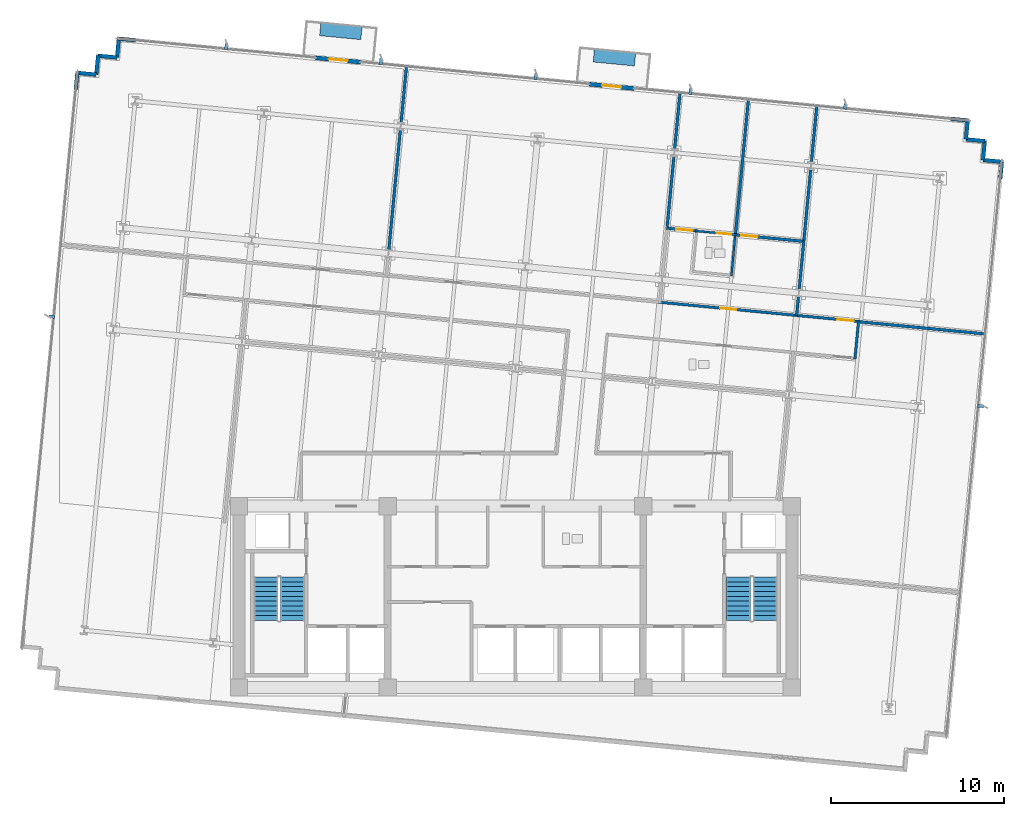
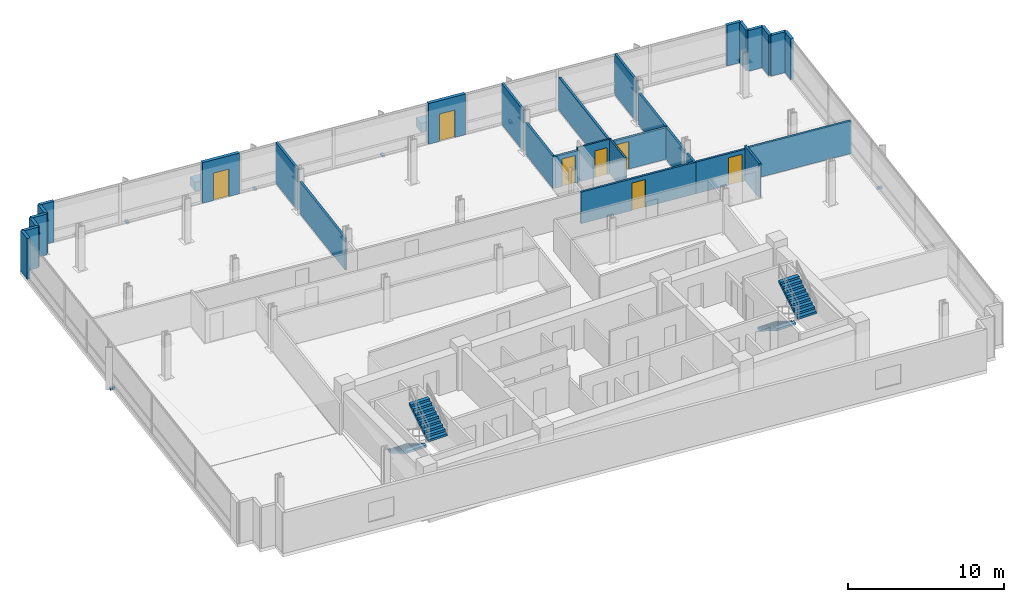
# One storey, part 12 of 16: 31 walls, 9 discrete accessories, 7 doors, 4 stair flights, 7 openings, 2 elements without a shape of their own.
"""IFC4 building model written with IfcOpenShell, lengths in metres."""

from ifc_helpers import new_model, si_unit, direction, frame, frame_2d, origin, origin_2d, place, context, subcontext, project, spatial, polyline, rectangle, outline, extrude, material, layer, layer_set, type_object, element, fill, aggregate, save


model = new_model("IFC4")

# Units and contexts
model_context = context("Model", 3, precision=1e-05, world=origin(), true_north=direction((0.0, 1.0)))
body_context = subcontext(model_context, "Body", "Model", "MODEL_VIEW")
ifc_project = project(units=[si_unit("LENGTHUNIT", "METRE"), si_unit("AREAUNIT", "SQUARE_METRE"), si_unit("VOLUMEUNIT", "CUBIC_METRE"), si_unit("PLANEANGLEUNIT", "RADIAN"), si_unit("MASSUNIT", "GRAM", prefix="KILO")], contexts=[model_context])

# Site, building, storey
site_placement = place(None, origin())
site = spatial("IfcSite", under=ifc_project, at=site_placement, CompositionType="ELEMENT")
building_placement = place(site_placement, origin())
building = spatial("IfcBuilding", under=site, at=building_placement, Name="Solmavex Isthmus Hotel", CompositionType="ELEMENT")
storey_placement = place(building_placement, frame((0.0, 0.0, 160.050048828125)))
storey = spatial("IfcBuildingStorey", under=building, at=storey_placement, Name="L43", CompositionType="ELEMENT", Elevation=160.050048828125)

# Wall, opening, door
ifc_material_1 = material(Name="Precast Concrete C40/50", Category="concrete")
ifc_layer_1 = layer(ifc_material_1, 0.25)
ifc_layer_set_1 = layer_set([ifc_layer_1], Name="Precast Concrete C40/50")
wall_type_1 = type_object("IfcWallType", Name="EW-TWR-250", PredefinedType="STANDARD", material=ifc_layer_set_1)
wall_1_placement = place(storey_placement, frame((-11.5634765625, 23.46142578125, 0.0), z_axis=(0.0, 0.0, 1.0), x_axis=(0.995402144456, -0.095783979938, 0.0)))
wall_1 = element("IfcWall", 1, at=wall_1_placement, inside=storey, type_object=wall_type_1, Name="Exterior Balcony Door Wall L43-2", PredefinedType="STANDARD", context=body_context, shape_type="SweptSolid", body=[
    extrude(rectangle(XDim=2.599853515625, YDim=0.239990234375, at=frame_2d((1.2998046875, 0.0))), origin(), (0.0, 0.0, 1.0), 3.18994140625),
])
opening_1_placement = place(wall_1_placement, frame((0.75, 0.0, 0.0)))
opening_1 = element("IfcOpeningElement", 2, at=opening_1_placement, cuts=wall_1, Name="Opening ED-02", PredefinedType="OPENING", context=body_context, shape_type="SweptSolid", body=[
    extrude(rectangle(XDim=1.10009765625, YDim=2.14990234375, at=frame_2d((0.550048828125, 1.074951171875))), frame((0.0, 0.1298828125, 0.0), z_axis=(0.0, -1.0, 0.0), x_axis=(1.0, 0.0, 0.0)), (0.0, 0.0, 1.0), 0.260009765625),
])
ifc_material_2 = material(Name="Aluminium alloy 6063-T6", Category="aluminium")
door_type_1 = type_object("IfcDoorType", Name="EDR-BALC-1100", OperationType="NOTDEFINED", PredefinedType="DOOR", material=ifc_material_2)
door_1_placement = place(opening_1_placement, origin())
door_1 = element("IfcDoor", 3, at=door_1_placement, inside=storey, type_object=door_type_1, Name="Balcony & Terrace Glazed Door L43-2", OperationType="SINGLE_SWING_RIGHT", OverallHeight=2.14990234375, OverallWidth=1.10009765625, PredefinedType="DOOR", context=body_context, shape_type="SweptSolid", body=[
    extrude(rectangle(XDim=1.10009765625, YDim=2.14990234375, at=frame_2d((0.550048828125, 1.074951171875))), frame((0.0, 0.02490234375, 0.0), z_axis=(0.0, -1.0, 0.0), x_axis=(1.0, 0.0, 0.0)), (0.0, 0.0, 1.0), 0.050048828125),
])
fill(opening_1, door_1)

wall_2_placement = place(storey_placement, frame((4.275146484375, 21.9365234375, 0.0), z_axis=(0.0, 0.0, 1.0), x_axis=(0.995394049959, -0.095868061976, 0.0)))
wall_2 = element("IfcWall", 4, at=wall_2_placement, inside=storey, type_object=wall_type_1, Name="Exterior Balcony Door Wall L43-3", PredefinedType="STANDARD", context=body_context, shape_type="SweptSolid", body=[
    extrude(rectangle(XDim=2.60009765625, YDim=0.239990234375, at=frame_2d((1.300048828125, 0.0))), origin(), (0.0, 0.0, 1.0), 3.18994140625),
])
opening_2_placement = place(wall_2_placement, frame((0.75, 0.0, 0.0)))
opening_2 = element("IfcOpeningElement", 5, at=opening_2_placement, cuts=wall_2, Name="Opening ED-02", PredefinedType="OPENING", context=body_context, shape_type="SweptSolid", body=[
    extrude(rectangle(XDim=1.10009765625, YDim=2.14990234375, at=frame_2d((0.550048828125, 1.074951171875))), frame((0.0, 0.1298828125, 0.0), z_axis=(0.0, -1.0, 0.0), x_axis=(1.0, 0.0, 0.0)), (0.0, 0.0, 1.0), 0.260009765625),
])
door_2_placement = place(opening_2_placement, origin())
door_2 = element("IfcDoor", 6, at=door_2_placement, inside=storey, type_object=door_type_1, Name="Balcony & Terrace Glazed Door L43-3", OperationType="SINGLE_SWING_LEFT", OverallHeight=2.14990234375, OverallWidth=1.10009765625, PredefinedType="DOOR", context=body_context, shape_type="SweptSolid", body=[
    extrude(rectangle(XDim=1.10009765625, YDim=2.14990234375, at=frame_2d((0.550048828125, 1.074951171875))), frame((0.0, 0.02490234375, 0.0), z_axis=(0.0, -1.0, 0.0), x_axis=(1.0, 0.0, 0.0)), (0.0, 0.0, 1.0), 0.050048828125),
])
fill(opening_2, door_2)

# Walls
wall_3_placement = place(storey_placement, frame((-25.46142578125, 21.60498046875, 0.0), z_axis=(0.0, 0.0, 1.0), x_axis=(0.095937974524, 0.995387314086, 0.0)))
element("IfcWall", 7, at=wall_3_placement, inside=storey, type_object=wall_type_1, Name="Serrated Corner Facade Panel L43-07", PredefinedType="STANDARD", context=body_context, shape_type="SweptSolid", body=[
    extrude(rectangle(XDim=0.989990234375, YDim=0.219970703125, at=frame_2d((0.4951171875, 0.0))), origin(), (0.0, 0.0, 1.0), 3.18994140625),
])
for number, where, z_axis, x_axis, name in (
    (8, (-25.366455078125, 22.59033203125, 0.0), (0.0, 0.0, 1.0), (0.995414313875, -0.095657429048, 0.0), "Serrated Corner Facade Panel L43-08"),
    (9, (-24.271484375, 22.485107421875, 0.0), (0.0, 0.0, 1.0), (0.095657429048, 0.995414313875, 0.0), "Serrated Corner Facade Panel L43-09"),
    (10, (-24.166259765625, 23.580078125, 0.0), (0.0, 0.0, 1.0), (0.995393156894, -0.095877334176, 0.0), "Serrated Corner Facade Panel L43-10"),
    (11, (-23.0712890625, 23.474609375, 0.0), (0.0, 0.0, 1.0), (0.095877334176, 0.995393156894, 0.0), "Serrated Corner Facade Panel L43-11"),
):
    element("IfcWall", number, at=place(storey_placement, frame(where, z_axis=z_axis, x_axis=x_axis)), inside=storey, type_object=wall_type_1, Name=name, PredefinedType="STANDARD", context=body_context, shape_type="SweptSolid", body=[
        extrude(rectangle(XDim=1.10009765625, YDim=0.219970703125, at=frame_2d((0.550048828125, 0.0))), origin(), (0.0, 0.0, 1.0), 3.18994140625),
    ])
for number, where, z_axis, x_axis, name in (
    (12, (-22.9658203125, 24.569580078125, 0.0), (0.0, 0.0, 1.0), (0.995387314086, -0.095937974524, 0.0), "Serrated Corner Facade Panel L43-12"),
    (13, (25.201416015625, 19.931396484375, 0.0), (0.0, 0.0, 1.0), (0.99541083642, -0.095693608655, 0.0), "Serrated Corner Facade Panel L43-14"),
):
    element("IfcWall", number, at=place(storey_placement, frame(where, z_axis=z_axis, x_axis=x_axis)), inside=storey, type_object=wall_type_1, Name=name, PredefinedType="STANDARD", context=body_context, shape_type="SweptSolid", body=[
        extrude(rectangle(XDim=0.989990234375, YDim=0.219970703125, at=frame_2d((0.4951171875, 0.0))), origin(), (0.0, 0.0, 1.0), 3.18994140625),
    ])
wall_4_placement = place(storey_placement, frame((26.186767578125, 19.836669921875, 0.0), z_axis=(0.0, 0.0, 1.0), x_axis=(-0.095657429048, -0.995414313875, 0.0)))
element("IfcWall", 14, at=wall_4_placement, inside=storey, type_object=wall_type_1, Name="Serrated Corner Facade Panel L43-15", PredefinedType="STANDARD", context=body_context, shape_type="SweptSolid", body=[
    extrude(rectangle(XDim=1.10009765625, YDim=0.219970703125, at=frame_2d((0.550048828125, 0.0))), origin(), (0.0, 0.0, 1.0), 3.18994140625),
])
wall_5_placement = place(storey_placement, frame((26.08154296875, 18.74169921875, 0.0), z_axis=(0.0, 0.0, 1.0), x_axis=(0.995391116058, -0.095898519656, 0.0)))
element("IfcWall", 15, at=wall_5_placement, inside=storey, type_object=wall_type_1, Name="Serrated Corner Facade Panel L43-16", PredefinedType="STANDARD", context=body_context, shape_type="SweptSolid", body=[
    extrude(rectangle(XDim=1.099853515625, YDim=0.219970703125, at=frame_2d((0.5498046875, 0.0))), origin(), (0.0, 0.0, 1.0), 3.18994140625),
])
wall_6_placement = place(storey_placement, frame((27.17626953125, 18.63623046875, 0.0), z_axis=(0.0, 0.0, 1.0), x_axis=(-0.095657429048, -0.995414313875, 0.0)))
element("IfcWall", 16, at=wall_6_placement, inside=storey, type_object=wall_type_1, Name="Serrated Corner Facade Panel L43-17", PredefinedType="STANDARD", context=body_context, shape_type="SweptSolid", body=[
    extrude(rectangle(XDim=1.10009765625, YDim=0.219970703125, at=frame_2d((0.550048828125, 0.0))), origin(), (0.0, 0.0, 1.0), 3.18994140625),
])
wall_7_placement = place(storey_placement, frame((27.071044921875, 17.541259765625, 0.0), z_axis=(0.0, 0.0, 1.0), x_axis=(0.995391116058, -0.095898519656, 0.0)))
element("IfcWall", 17, at=wall_7_placement, inside=storey, type_object=wall_type_1, Name="Serrated Corner Facade Panel L43-18", PredefinedType="STANDARD", context=body_context, shape_type="SweptSolid", body=[
    extrude(rectangle(XDim=1.099853515625, YDim=0.219970703125, at=frame_2d((0.5498046875, 0.0))), origin(), (0.0, 0.0, 1.0), 3.18994140625),
])
wall_8_placement = place(storey_placement, frame((28.165771484375, 17.435791015625, 0.0), z_axis=(0.0, 0.0, 1.0), x_axis=(-0.095693608655, -0.99541083642, 0.0)))
element("IfcWall", 18, at=wall_8_placement, inside=storey, type_object=wall_type_1, Name="Serrated Corner Facade Panel L43-19", PredefinedType="STANDARD", context=body_context, shape_type="SweptSolid", body=[
    extrude(rectangle(XDim=0.989990234375, YDim=0.219970703125, at=frame_2d((0.4951171875, 0.0))), origin(), (0.0, 0.0, 1.0), 3.18994140625),
])
ifc_material_3 = material(Name="Gypsum plasterboard lining", Category="gypsum")
ifc_layer_2 = layer(ifc_material_3, 0.159912109375)
ifc_layer_set_2 = layer_set([ifc_layer_2], Name="Gypsum plasterboard lining")
wall_type_2 = type_object("IfcWallType", Name="IW-COMP-160", PredefinedType="PARTITIONING", material=ifc_layer_set_2)
wall_9_placement = place(storey_placement, frame((-6.66015625, 19.31640625, 0.0), z_axis=(0.0, 0.0, 1.0), x_axis=(-0.095853155488, -0.995395485515, 0.0)))
element("IfcWall", 19, at=wall_9_placement, inside=storey, type_object=wall_type_2, Name="Interior Partition Wall W-L43-P020", PredefinedType="PARTITIONING", context=body_context, shape_type="SweptSolid", body=[
    extrude(rectangle(XDim=7.0400390625, YDim=0.159912109375, at=frame_2d((3.52001953125, 0.0))), origin(), (0.0, 0.0, 1.0), 2.4794921875),
])
wall_10_placement = place(storey_placement, frame((-6.305908203125, 22.995361328125, 0.0), z_axis=(0.0, 0.0, 1.0), x_axis=(-0.095859866796, -0.995394839216, 0.0)))
element("IfcWall", 20, at=wall_10_placement, inside=storey, type_object=wall_type_2, Name="Interior Partition Wall W-L43-P021", PredefinedType="PARTITIONING", context=body_context, shape_type="SweptSolid", body=[
    extrude(rectangle(XDim=3.343994140625, YDim=0.159912109375, at=frame_2d((1.671875, 0.0))), origin(), (0.0, 0.0, 1.0), 3.18994140625),
])
wall_11_placement = place(storey_placement, frame((9.178466796875, 17.791259765625, 0.0), z_axis=(0.0, 0.0, 1.0), x_axis=(-0.095830387623, -0.995397677719, 0.0)))
element("IfcWall", 21, at=wall_11_placement, inside=storey, type_object=wall_type_2, Name="Interior Partition Wall W-L43-P025", PredefinedType="PARTITIONING", context=body_context, shape_type="SweptSolid", body=[
    extrude(rectangle(XDim=4.2978515625, YDim=0.159912109375, at=frame_2d((2.14892578125, 0.0))), origin(), (0.0, 0.0, 1.0), 2.4794921875),
])
wall_12_placement = place(storey_placement, frame((9.53271484375, 21.470458984375, 0.0), z_axis=(0.0, 0.0, 1.0), x_axis=(-0.095859866796, -0.995394839216, 0.0)))
element("IfcWall", 22, at=wall_12_placement, inside=storey, type_object=wall_type_2, Name="Interior Partition Wall W-L43-P026", PredefinedType="PARTITIONING", context=body_context, shape_type="SweptSolid", body=[
    extrude(rectangle(XDim=3.343994140625, YDim=0.159912109375, at=frame_2d((1.671875, 0.0))), origin(), (0.0, 0.0, 1.0), 3.18994140625),
])

# Wall, opening, door
wall_13_placement = place(storey_placement, frame((8.734619140625, 13.5986328125, 0.0), z_axis=(0.0, 0.0, 1.0), x_axis=(0.995394173932, -0.095866774755, 0.0)))
wall_13 = element("IfcWall", 23, at=wall_13_placement, inside=storey, type_object=wall_type_2, Name="Interior Partition Wall W-L43-P027", PredefinedType="PARTITIONING", context=body_context, shape_type="SweptSolid", body=[
    extrude(rectangle(XDim=1.80810546875, YDim=0.159912109375, at=frame_2d((0.904052734375, 0.0))), origin(), (0.0, 0.0, 1.0), 2.4794921875),
])
opening_3_placement = place(wall_13_placement, frame((0.57421875, 0.0, 0.0)))
opening_3 = element("IfcOpeningElement", 24, at=opening_3_placement, cuts=wall_13, Name="Opening ID-C095", PredefinedType="OPENING", context=body_context, shape_type="SweptSolid", body=[
    extrude(rectangle(XDim=0.949951171875, YDim=2.14990234375, at=frame_2d((0.47509765625, 1.074951171875))), frame((0.0, 0.08984375, 0.0), z_axis=(0.0, -1.0, 0.0), x_axis=(1.0, 0.0, 0.0)), (0.0, 0.0, 1.0), 0.179931640625),
])
ifc_material_4 = material(Name="Hardwood timber", Category="wood")
door_type_2 = type_object("IfcDoorType", Name="IDR-FD60-0950", OperationType="NOTDEFINED", PredefinedType="DOOR", material=ifc_material_4)
door_3_placement = place(opening_3_placement, origin())
door_3 = element("IfcDoor", 25, at=door_3_placement, inside=storey, type_object=door_type_2, Name="Diplomatic Suite Master Bedroom Door L43-04", OperationType="SINGLE_SWING_RIGHT", OverallHeight=2.14990234375, OverallWidth=0.949951171875, PredefinedType="DOOR", context=body_context, shape_type="SweptSolid", body=[
    extrude(rectangle(XDim=0.949951171875, YDim=2.14990234375, at=frame_2d((0.47509765625, 1.074951171875))), frame((0.0, 0.02490234375, 0.0), z_axis=(0.0, -1.0, 0.0), x_axis=(1.0, 0.0, 0.0)), (0.0, 0.0, 1.0), 0.050048828125),
])
fill(opening_3, door_3)

wall_14_placement = place(storey_placement, frame((12.684326171875, 13.21826171875, 0.0), z_axis=(0.0, 0.0, 1.0), x_axis=(0.995396485523, -0.095842770251, 0.0)))
wall_14 = element("IfcWall", 26, at=wall_14_placement, inside=storey, type_object=wall_type_2, Name="Interior Partition Wall W-L43-P028", PredefinedType="PARTITIONING", context=body_context, shape_type="SweptSolid", body=[
    extrude(rectangle(XDim=4.068115234375, YDim=0.159912109375, at=frame_2d((2.0341796875, 0.0))), origin(), (0.0, 0.0, 1.0), 2.4794921875),
])
opening_4_placement = place(wall_14_placement, frame((0.386474609375, 0.0, 0.0)))
opening_4 = element("IfcOpeningElement", 27, at=opening_4_placement, cuts=wall_14, Name="Opening ID-C095", PredefinedType="OPENING", context=body_context, shape_type="SweptSolid", body=[
    extrude(rectangle(XDim=0.949951171875, YDim=2.14990234375, at=frame_2d((0.47509765625, 1.074951171875))), frame((0.0, 0.08984375, 0.0), z_axis=(0.0, -1.0, 0.0), x_axis=(1.0, 0.0, 0.0)), (0.0, 0.0, 1.0), 0.179931640625),
])
door_4_placement = place(opening_4_placement, origin())
door_4 = element("IfcDoor", 28, at=door_4_placement, inside=storey, type_object=door_type_2, Name="Diplomatic Suite Panorama Sitting Study Door L43-05", OperationType="SINGLE_SWING_LEFT", OverallHeight=2.14990234375, OverallWidth=0.949951171875, PredefinedType="DOOR", context=body_context, shape_type="SweptSolid", body=[
    extrude(rectangle(XDim=0.949951171875, YDim=2.14990234375, at=frame_2d((0.47509765625, 1.074951171875))), frame((0.0, 0.02490234375, 0.0), z_axis=(0.0, -1.0, 0.0), x_axis=(1.0, 0.0, 0.0)), (0.0, 0.0, 1.0), 0.050048828125),
])
fill(opening_4, door_4)

# Walls
wall_15_placement = place(storey_placement, frame((16.389404296875, 9.6708984375, 0.0), z_axis=(0.0, 0.0, 1.0), x_axis=(-0.095811626391, -0.995399483749, 0.0)))
element("IfcWall", 29, at=wall_15_placement, inside=storey, type_object=wall_type_2, Name="Interior Partition Wall W-L43-P032", PredefinedType="PARTITIONING", context=body_context, shape_type="SweptSolid", body=[
    extrude(rectangle(XDim=1.172119140625, YDim=0.159912109375, at=frame_2d((0.5859375, 0.0))), origin(), (0.0, 0.0, 1.0), 2.4794921875),
])
wall_16_placement = place(storey_placement, frame((16.69775390625, 12.8720703125, 0.0), z_axis=(0.0, 0.0, 1.0), x_axis=(-0.095899197745, -0.995391050729, 0.0)))
element("IfcWall", 30, at=wall_16_placement, inside=storey, type_object=wall_type_2, Name="Interior Partition Wall W-L43-P033", PredefinedType="PARTITIONING", context=body_context, shape_type="SweptSolid", body=[
    extrude(rectangle(XDim=2.864013671875, YDim=0.159912109375, at=frame_2d((1.43212890625, 0.0))), origin(), (0.0, 0.0, 1.0), 2.4794921875),
])
wall_17_placement = place(storey_placement, frame((13.48095703125, 20.9697265625, 0.0), z_axis=(0.0, 0.0, 1.0), x_axis=(-0.095851985855, -0.995395598146, 0.0)))
element("IfcWall", 31, at=wall_17_placement, inside=storey, type_object=wall_type_2, Name="Interior Partition Wall W-L43-P034", PredefinedType="PARTITIONING", context=body_context, shape_type="SweptSolid", body=[
    extrude(rectangle(XDim=7.832275390625, YDim=0.159912109375, at=frame_2d((3.916015625, 0.0))), origin(), (0.0, 0.0, 1.0), 2.557373046875),
])
wall_18_placement = place(storey_placement, frame((17.097900390625, 17.02880859375, 0.0), z_axis=(0.0, 0.0, 1.0), x_axis=(-0.095856690152, -0.995395145132, 0.0)))
element("IfcWall", 32, at=wall_18_placement, inside=storey, type_object=wall_type_2, Name="Interior Partition Wall W-L43-P036", PredefinedType="PARTITIONING", context=body_context, shape_type="SweptSolid", body=[
    extrude(rectangle(XDim=4.255859375, YDim=0.159912109375, at=frame_2d((2.1279296875, 0.0))), origin(), (0.0, 0.0, 1.0), 2.4794921875),
])
wall_19_placement = place(storey_placement, frame((17.4521484375, 20.707763671875, 0.0), z_axis=(0.0, 0.0, 1.0), x_axis=(-0.095859866796, -0.995394839216, 0.0)))
element("IfcWall", 33, at=wall_19_placement, inside=storey, type_object=wall_type_2, Name="Interior Partition Wall W-L43-P037", PredefinedType="PARTITIONING", context=body_context, shape_type="SweptSolid", body=[
    extrude(rectangle(XDim=3.343994140625, YDim=0.159912109375, at=frame_2d((1.671875, 0.0))), origin(), (0.0, 0.0, 1.0), 3.18994140625),
])
wall_20_placement = place(storey_placement, frame((27.236328125, 7.468994140625, 0.0), z_axis=(0.0, 0.0, 1.0), x_axis=(-0.995396228159, 0.095845443117, 0.0)))
element("IfcWall", 34, at=wall_20_placement, inside=storey, type_object=wall_type_2, Name="Interior Partition Wall W-L43-P038", PredefinedType="PARTITIONING", context=body_context, shape_type="SweptSolid", body=[
    extrude(rectangle(XDim=7.447998046875, YDim=0.159912109375, at=frame_2d((3.72412109375, 0.0))), origin(), (0.0, 0.0, 1.0), 2.557373046875),
])

# Wall, opening, door
ifc_layer_3 = layer(ifc_material_3, 0.14990234375)
ifc_layer_set_3 = layer_set([ifc_layer_3], Name="Gypsum plasterboard lining")
wall_type_3 = type_object("IfcWallType", Name="IW-CORR-150", PredefinedType="PARTITIONING", material=ifc_layer_set_3)
wall_21_placement = place(storey_placement, frame((8.280029296875, 9.314453125, 0.0), z_axis=(0.0, 0.0, 1.0), x_axis=(0.995395467524, -0.095853342309, 0.0)))
wall_21 = element("IfcWall", 35, at=wall_21_placement, inside=storey, type_object=wall_type_3, Name="Interior Partition Wall W-L43-P003", PredefinedType="PARTITIONING", context=body_context, shape_type="SweptSolid", body=[
    extrude(rectangle(XDim=8.119873046875, YDim=0.14990234375, at=frame_2d((4.06005859375, 0.0))), origin(), (0.0, 0.0, 1.0), 2.4794921875),
])
opening_5_placement = place(wall_21_placement, frame((3.5849609375, 0.0, 0.0)))
opening_5 = element("IfcOpeningElement", 36, at=opening_5_placement, cuts=wall_21, Name="Opening ID-C095", PredefinedType="OPENING", context=body_context, shape_type="SweptSolid", body=[
    extrude(rectangle(XDim=0.949951171875, YDim=2.14990234375, at=frame_2d((0.47509765625, 1.074951171875))), frame((0.0, 0.0849609375, 0.0), z_axis=(0.0, -1.0, 0.0), x_axis=(1.0, 0.0, 0.0)), (0.0, 0.0, 1.0), 0.169921875),
])
door_5_placement = place(opening_5_placement, frame((0.949951171875, 0.0, 0.0), z_axis=(0.0, 0.0, 1.0), x_axis=(-1.0, 0.0, 0.0)))
door_5 = element("IfcDoor", 37, at=door_5_placement, inside=storey, type_object=door_type_2, Name="Diplomatic Suite Living Salon Door L43-03", OperationType="SINGLE_SWING_LEFT", OverallHeight=2.14990234375, OverallWidth=0.949951171875, PredefinedType="DOOR", context=body_context, shape_type="SweptSolid", body=[
    extrude(rectangle(XDim=0.949951171875, YDim=2.14990234375, at=frame_2d((0.47509765625, 1.074951171875))), frame((0.0, 0.02490234375, 0.0), z_axis=(0.0, -1.0, 0.0), x_axis=(1.0, 0.0, 0.0)), (0.0, 0.0, 1.0), 0.050048828125),
])
fill(opening_5, door_5)

wall_22_placement = place(storey_placement, frame((16.19921875, 8.552001953125, 0.0), z_axis=(0.0, 0.0, 1.0), x_axis=(0.995391104887, -0.095898635608, 0.0)))
wall_22 = element("IfcWall", 38, at=wall_22_placement, inside=storey, type_object=wall_type_3, Name="Interior Partition Wall W-L43-P004", PredefinedType="PARTITIONING", context=body_context, shape_type="SweptSolid", body=[
    extrude(rectangle(XDim=3.721923828125, YDim=0.14990234375, at=frame_2d((1.86083984375, 0.0))), origin(), (0.0, 0.0, 1.0), 2.4794921875),
])
opening_6_placement = place(wall_22_placement, frame((2.456787109375, 0.0, 0.0)))
opening_6 = element("IfcOpeningElement", 39, at=opening_6_placement, cuts=wall_22, Name="Opening ID-C095", PredefinedType="OPENING", context=body_context, shape_type="SweptSolid", body=[
    extrude(rectangle(XDim=0.949951171875, YDim=2.14990234375, at=frame_2d((0.47509765625, 1.074951171875))), frame((0.0, 0.0849609375, 0.0), z_axis=(0.0, -1.0, 0.0), x_axis=(1.0, 0.0, 0.0)), (0.0, 0.0, 1.0), 0.169921875),
])
door_6_placement = place(opening_6_placement, frame((0.949951171875, 0.0, 0.0), z_axis=(0.0, 0.0, 1.0), x_axis=(-1.0, 0.0, 0.0)))
door_6 = element("IfcDoor", 40, at=door_6_placement, inside=storey, type_object=door_type_2, Name="Executive Hospitality Lounge Door L43-07", OperationType="SINGLE_SWING_LEFT", OverallHeight=2.14990234375, OverallWidth=0.949951171875, PredefinedType="DOOR", context=body_context, shape_type="SweptSolid", body=[
    extrude(rectangle(XDim=0.949951171875, YDim=2.14990234375, at=frame_2d((0.47509765625, 1.074951171875))), frame((0.0, 0.02490234375, 0.0), z_axis=(0.0, -1.0, 0.0), x_axis=(1.0, 0.0, 0.0)), (0.0, 0.0, 1.0), 0.050048828125),
])
fill(opening_6, door_6)

# Walls
wall_23_placement = place(storey_placement, frame((19.8662109375, 8.218994140625, 0.0), z_axis=(0.0, 0.0, 1.0), x_axis=(-0.095773447772, -0.995403157872, 0.0)))
element("IfcWall", 41, at=wall_23_placement, inside=storey, type_object=wall_type_3, Name="Interior Partition Wall W-L43-P015", PredefinedType="PARTITIONING", context=body_context, shape_type="SweptSolid", body=[
    extrude(rectangle(XDim=2.210205078125, YDim=0.14990234375, at=frame_2d((1.10498046875, 0.0))), origin(), (0.0, 0.0, 1.0), 2.718017578125),
])
ifc_layer_4 = layer(ifc_material_3, 0.1201171875)
ifc_layer_set_4 = layer_set([ifc_layer_4], Name="Gypsum plasterboard lining")
wall_type_4 = type_object("IfcWallType", Name="IW-PART-120", PredefinedType="PARTITIONING", material=ifc_layer_set_4)
wall_24_placement = place(storey_placement, frame((12.505126953125, 10.83447265625, 0.0), z_axis=(0.0, 0.0, 1.0), x_axis=(0.091622673793, 0.995793796751, 0.0)))
element("IfcWall", 42, at=wall_24_placement, inside=storey, type_object=wall_type_4, Name="Interior Partition Wall W-L43-P031", PredefinedType="PARTITIONING", context=body_context, shape_type="SweptSolid", body=[
    extrude(rectangle(XDim=2.43017578125, YDim=0.1201171875, at=frame_2d((1.215087890625, 0.0))), origin(), (0.0, 0.0, 1.0), 2.718017578125),
])

# Wall, opening, door
wall_25_placement = place(storey_placement, frame((12.77392578125, 13.209716796875, 0.0), z_axis=(0.0, 0.0, 1.0), x_axis=(-0.995398273854, 0.095824195322, 0.0)))
wall_25 = element("IfcWall", 43, at=wall_25_placement, inside=storey, type_object=wall_type_4, Name="Interior Partition Wall W-L43-P035", PredefinedType="PARTITIONING", context=body_context, shape_type="SweptSolid", body=[
    extrude(rectangle(XDim=2.3720703125, YDim=0.1201171875, at=frame_2d((1.18603515625, 0.0))), origin(), (0.0, 0.0, 1.0), 2.718017578125),
])
opening_7_placement = place(wall_25_placement, frame((0.27978515625, 0.0, 0.0)))
opening_7 = element("IfcOpeningElement", 44, at=opening_7_placement, cuts=wall_25, Name="Opening ID-U085", PredefinedType="OPENING", context=body_context, shape_type="SweptSolid", body=[
    extrude(rectangle(XDim=0.85009765625, YDim=2.10009765625, at=frame_2d((0.425048828125, 1.050048828125))), frame((0.0, 0.070068359375, 0.0), z_axis=(0.0, -1.0, 0.0), x_axis=(1.0, 0.0, 0.0)), (0.0, 0.0, 1.0), 0.14013671875),
])
door_type_3 = type_object("IfcDoorType", Name="IDR-UNR-0850", OperationType="NOTDEFINED", PredefinedType="DOOR", material=ifc_material_4)
door_7_placement = place(opening_7_placement, frame((0.85009765625, 0.0, 0.0), z_axis=(0.0, 0.0, 1.0), x_axis=(-1.0, 0.0, 0.0)))
door_7 = element("IfcDoor", 45, at=door_7_placement, inside=storey, type_object=door_type_3, Name="En-suite Bathroom Door L43-06", OperationType="SINGLE_SWING_RIGHT", OverallHeight=2.10009765625, OverallWidth=0.85009765625, PredefinedType="DOOR", context=body_context, shape_type="SweptSolid", body=[
    extrude(rectangle(XDim=0.85009765625, YDim=2.10009765625, at=frame_2d((0.425048828125, 1.050048828125))), frame((0.0, 0.02490234375, 0.0), z_axis=(0.0, -1.0, 0.0), x_axis=(1.0, 0.0, 0.0)), (0.0, 0.0, 1.0), 0.050048828125),
])
fill(opening_7, door_7)

# Stair, stair flights
ifc_material_5 = material(Name="Concrete C40/50", Category="concrete")
stair_type_1 = type_object("IfcStairType", Name="STR-ST-1", PredefinedType="HALF_TURN_STAIR", material=ifc_material_5)
stair_1_placement = place(storey_placement, origin())
stair_1 = element("IfcStair", 46, at=stair_1_placement, inside=storey, type_object=stair_type_1, Name="L43 Protected Exit Stair ST-1", PredefinedType="HALF_TURN_STAIR")
stair_flight_type_1 = type_object("IfcStairFlightType", Name="SFL-ST-1", PredefinedType="STRAIGHT", material=ifc_material_5)
stair_flight_1_placement = place(storey_placement, frame((-14.449951171875, -6.60009765625, 0.0), z_axis=(0.0, 0.0, 1.0), x_axis=(0.0, -1.0, 0.0)))
stair_flight_1 = element("IfcStairFlight", 47, at=stair_flight_1_placement, type_object=stair_flight_type_1, Name="ST-1 flight 1", NumberOfRisers=10, NumberOfTreads=9, PredefinedType="STRAIGHT", RiserHeight=0.1725, TreadLength=0.28, context=body_context, shape_type="SweptSolid", body=[
    extrude(outline(polyline([(0.0, 0.0), (0.0, 0.172607421875), (0.280029296875, 0.172607421875), (0.280029296875, 0.344970703125), (0.56005859375, 0.344970703125), (0.56005859375, 0.517578125), (0.840087890625, 0.517578125), (0.840087890625, 0.68994140625), (1.1201171875, 0.68994140625), (1.1201171875, 0.862548828125), (1.39990234375, 0.862548828125), (1.39990234375, 1.034912109375), (1.679931640625, 1.034912109375), (1.679931640625, 1.20751953125), (1.9599609375, 1.20751953125), (1.9599609375, 1.3798828125), (2.239990234375, 1.3798828125), (2.239990234375, 1.552490234375), (2.52001953125, 1.552490234375), (2.52001953125, 1.72509765625), (2.52001953125, 1.37646484375), (0.285888671875, 0.0), (0.0, 0.0)])), frame((0.0, 0.699951171875, 0.0), z_axis=(0.0, -1.0, 0.0), x_axis=(1.0, 0.0, 0.0)), (0.0, 0.0, 1.0), 1.39990234375),
])
stair_flight_2_placement = place(storey_placement, frame((-12.89990234375, -9.1201171875, 1.724853515625), z_axis=(0.0, 0.0, 1.0), x_axis=(0.0, 1.0, 0.0)))
stair_flight_2 = element("IfcStairFlight", 48, at=stair_flight_2_placement, type_object=stair_flight_type_1, Name="ST-1 flight 2", NumberOfRisers=10, NumberOfTreads=9, PredefinedType="STRAIGHT", RiserHeight=0.1725, TreadLength=0.28, context=body_context, shape_type="SweptSolid", body=[
    extrude(outline(polyline([(0.0, 0.0), (0.0, 0.172607421875), (0.280029296875, 0.172607421875), (0.280029296875, 0.344970703125), (0.56005859375, 0.344970703125), (0.56005859375, 0.517578125), (0.840087890625, 0.517578125), (0.840087890625, 0.68994140625), (1.1201171875, 0.68994140625), (1.1201171875, 0.862548828125), (1.39990234375, 0.862548828125), (1.39990234375, 1.034912109375), (1.679931640625, 1.034912109375), (1.679931640625, 1.20751953125), (1.9599609375, 1.20751953125), (1.9599609375, 1.3798828125), (2.239990234375, 1.3798828125), (2.239990234375, 1.552490234375), (2.52001953125, 1.552490234375), (2.52001953125, 1.72509765625), (2.52001953125, 1.37646484375), (0.285888671875, 0.0), (0.0, 0.0)])), frame((0.0, 0.699951171875, 0.0), z_axis=(0.0, -1.0, 0.0), x_axis=(1.0, 0.0, 0.0)), (0.0, 0.0, 1.0), 1.39990234375),
])
aggregate(stair_1, [stair_flight_1, stair_flight_2])

stair_type_2 = type_object("IfcStairType", Name="STR-ST-2", PredefinedType="HALF_TURN_STAIR", material=ifc_material_5)
stair_2_placement = place(storey_placement, origin())
stair_2 = element("IfcStair", 49, at=stair_2_placement, inside=storey, type_object=stair_type_2, Name="L43 Protected Exit Stair ST-2", PredefinedType="HALF_TURN_STAIR")
stair_flight_type_2 = type_object("IfcStairFlightType", Name="SFL-ST-2", PredefinedType="STRAIGHT", material=ifc_material_5)
stair_flight_3_placement = place(storey_placement, frame((12.89990234375, -6.60009765625, 0.0), z_axis=(0.0, 0.0, 1.0), x_axis=(0.0, -1.0, 0.0)))
stair_flight_3 = element("IfcStairFlight", 50, at=stair_flight_3_placement, type_object=stair_flight_type_2, Name="ST-2 flight 1", NumberOfRisers=10, NumberOfTreads=9, PredefinedType="STRAIGHT", RiserHeight=0.1725, TreadLength=0.28, context=body_context, shape_type="SweptSolid", body=[
    extrude(outline(polyline([(0.0, 0.0), (0.0, 0.172607421875), (0.280029296875, 0.172607421875), (0.280029296875, 0.344970703125), (0.56005859375, 0.344970703125), (0.56005859375, 0.517578125), (0.840087890625, 0.517578125), (0.840087890625, 0.68994140625), (1.1201171875, 0.68994140625), (1.1201171875, 0.862548828125), (1.39990234375, 0.862548828125), (1.39990234375, 1.034912109375), (1.679931640625, 1.034912109375), (1.679931640625, 1.20751953125), (1.9599609375, 1.20751953125), (1.9599609375, 1.3798828125), (2.239990234375, 1.3798828125), (2.239990234375, 1.552490234375), (2.52001953125, 1.552490234375), (2.52001953125, 1.72509765625), (2.52001953125, 1.37646484375), (0.285888671875, 0.0), (0.0, 0.0)])), frame((0.0, 0.699951171875, 0.0), z_axis=(0.0, -1.0, 0.0), x_axis=(1.0, 0.0, 0.0)), (0.0, 0.0, 1.0), 1.39990234375),
])
stair_flight_4_placement = place(storey_placement, frame((14.449951171875, -9.1201171875, 1.724853515625), z_axis=(0.0, 0.0, 1.0), x_axis=(0.0, 1.0, 0.0)))
stair_flight_4 = element("IfcStairFlight", 51, at=stair_flight_4_placement, type_object=stair_flight_type_2, Name="ST-2 flight 2", NumberOfRisers=10, NumberOfTreads=9, PredefinedType="STRAIGHT", RiserHeight=0.1725, TreadLength=0.28, context=body_context, shape_type="SweptSolid", body=[
    extrude(outline(polyline([(0.0, 0.0), (0.0, 0.172607421875), (0.280029296875, 0.172607421875), (0.280029296875, 0.344970703125), (0.56005859375, 0.344970703125), (0.56005859375, 0.517578125), (0.840087890625, 0.517578125), (0.840087890625, 0.68994140625), (1.1201171875, 0.68994140625), (1.1201171875, 0.862548828125), (1.39990234375, 0.862548828125), (1.39990234375, 1.034912109375), (1.679931640625, 1.034912109375), (1.679931640625, 1.20751953125), (1.9599609375, 1.20751953125), (1.9599609375, 1.3798828125), (2.239990234375, 1.3798828125), (2.239990234375, 1.552490234375), (2.52001953125, 1.552490234375), (2.52001953125, 1.72509765625), (2.52001953125, 1.37646484375), (0.285888671875, 0.0), (0.0, 0.0)])), frame((0.0, 0.699951171875, 0.0), z_axis=(0.0, -1.0, 0.0), x_axis=(1.0, 0.0, 0.0)), (0.0, 0.0, 1.0), 1.39990234375),
])
aggregate(stair_2, [stair_flight_3, stair_flight_4])

# Discrete accessories
ifc_material_6 = material(Name="Steel ASTM A572 Grade 50", Category="steel")
discrete_accessory_type_1 = type_object("IfcDiscreteAccessoryType", Name="ACC-BRK-FIN", PredefinedType="BRACKET", material=ifc_material_6)
for number, where, z_axis, x_axis, name in (
    (52, (-16.7421875, 24.100830078125, -0.169921875), (0.0, 0.0, 1.0), (0.09584575252, 0.995396198367, 0.0), "Facade Fin Support Bracket L43-N1"),
    (53, (-7.783447265625, 23.23828125, -0.169921875), (0.0, 0.0, 1.0), (0.09584575252, 0.995396198367, 0.0), "Facade Fin Support Bracket L43-N2"),
    (54, (1.175048828125, 22.37548828125, -0.169921875), (0.0, 0.0, 1.0), (0.09584575252, 0.995396198367, 0.0), "Facade Fin Support Bracket L43-N3"),
    (55, (10.133544921875, 21.512939453125, -0.169921875), (0.0, 0.0, 1.0), (0.09584575252, 0.995396198367, 0.0), "Facade Fin Support Bracket L43-N4"),
    (56, (19.09228515625, 20.650390625, -0.169921875), (0.0, 0.0, 1.0), (0.09584575252, 0.995396198367, 0.0), "Facade Fin Support Bracket L43-N5"),
    (57, (-26.85595703125, 8.478271484375, -0.169921875), (0.0, 0.0, 1.0), (-0.995396198367, 0.09584575252, 0.0), "Facade Fin Support Bracket L43-W1"),
    (58, (26.935302734375, 3.298828125, -0.169921875), (0.0, 0.0, 1.0), (0.995396198367, -0.09584575252, 0.0), "Facade Fin Support Bracket L43-E1"),
):
    element("IfcDiscreteAccessory", number, at=place(storey_placement, frame(where, z_axis=z_axis, x_axis=x_axis)), inside=storey, type_object=discrete_accessory_type_1, Name=name, PredefinedType="BRACKET", context=body_context, shape_type="SweptSolid", body=[
        extrude(rectangle(XDim=0.340087890625, YDim=0.179931640625, at=origin_2d()), origin(), (0.0, 0.0, 1.0), 0.159912109375),
    ])
discrete_accessory_type_2 = type_object("IfcDiscreteAccessoryType", Name="ACC-PLN-BALC", PredefinedType="USERDEFINED", material=ifc_material_1)
for number, where, z_axis, x_axis, name in (
    (59, (-10.109375, 24.999267578125, 0.0), (0.0, 0.0, 1.0), (0.995396198367, -0.09584575252, 0.0), "Tree-Balcony Architectural Planter L43-B1"),
    (60, (5.729248046875, 23.47412109375, 0.0), (0.0, 0.0, 1.0), (0.995396198367, -0.09584575252, 0.0), "Tree-Balcony Architectural Planter L43-B2"),
):
    element("IfcDiscreteAccessory", number, at=place(storey_placement, frame(where, z_axis=z_axis, x_axis=x_axis)), inside=storey, type_object=discrete_accessory_type_2, Name=name, ObjectType="PLANTER", PredefinedType="USERDEFINED", context=body_context, shape_type="SweptSolid", body=[
        extrude(rectangle(XDim=2.39990234375, YDim=0.75, at=origin_2d()), origin(), (0.0, 0.0, 1.0), 0.699951171875),
    ])

save(model, "model.ifc")
